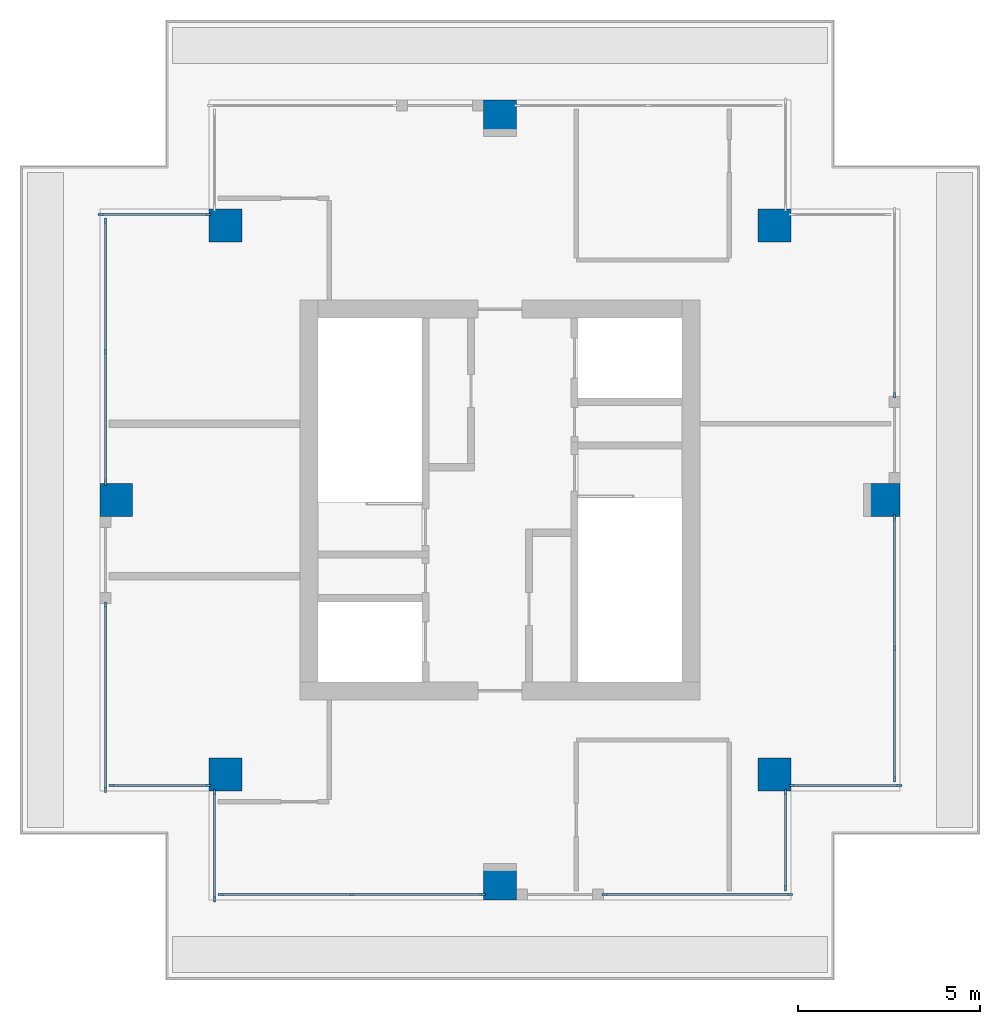
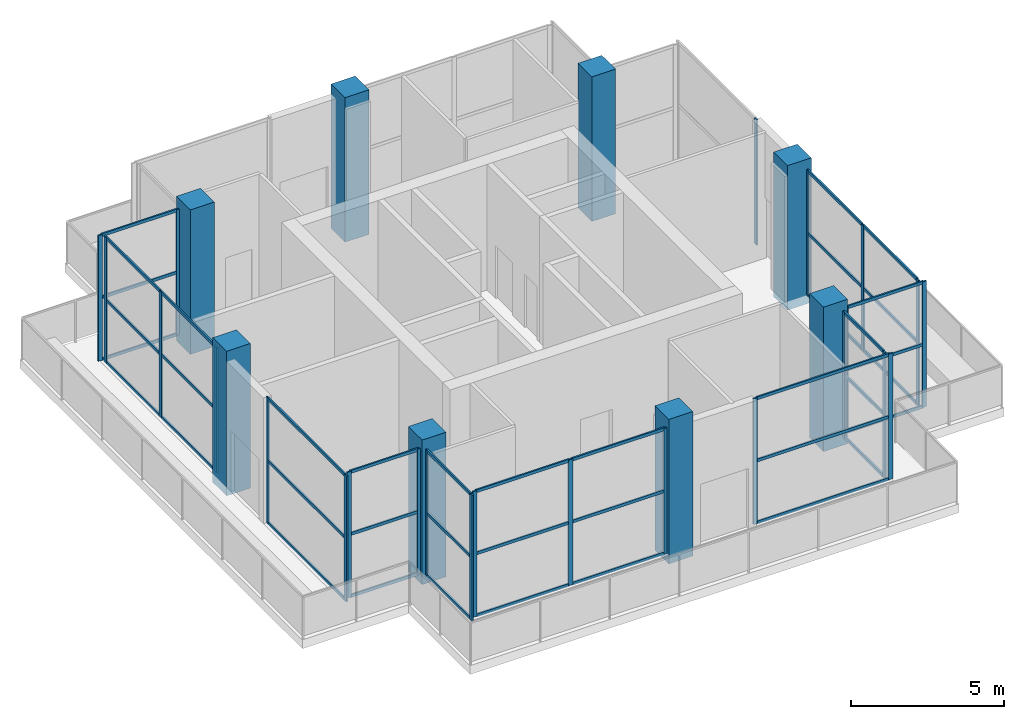
# One storey, part 1 of 5: 63 members, 8 columns, 11 elements without a shape of their own.
"""IFC4 building model written with IfcOpenShell, lengths in metres."""

from ifc_helpers import new_model, si_unit, direction, frame, origin, origin_2d, place, context, subcontext, project, spatial, rectangle, extrude, material, material_profile, profile_set, type_object, element, aggregate, save


model = new_model("IFC4")

# Units and contexts
model_context = context("Model", 3, precision=1e-05, world=origin(), true_north=direction((0.0, 1.0)))
body_context = subcontext(model_context, "Body", "Model", "MODEL_VIEW")
ifc_project = project(units=[si_unit("LENGTHUNIT", "METRE"), si_unit("AREAUNIT", "SQUARE_METRE"), si_unit("VOLUMEUNIT", "CUBIC_METRE"), si_unit("PLANEANGLEUNIT", "RADIAN"), si_unit("MASSUNIT", "GRAM", prefix="KILO")], contexts=[model_context])

# Site, building, storey
site_placement = place(None, origin())
site = spatial("IfcSite", under=ifc_project, at=site_placement, CompositionType="ELEMENT")
building_placement = place(site_placement, origin())
building = spatial("IfcBuilding", under=site, at=building_placement, Name="Khepri Terraces", CompositionType="ELEMENT")
storey_placement = place(building_placement, frame((0.0, 0.0, 316.199951171875)))
storey = spatial("IfcBuildingStorey", under=building, at=storey_placement, Name="L76", CompositionType="ELEMENT", Elevation=316.199951171875)

# Columns
ifc_material_1 = material(Name="Concrete C40/50", Category="concrete")
ifc_material_profile_1 = material_profile(ifc_material_1, rectangle(XDim=0.89990234375, YDim=0.89990234375, at=origin_2d()), Name="Concrete C40/50", Category="concrete")
ifc_profile_set_1 = profile_set([ifc_material_profile_1], Name="Concrete C40/50")
column_type = type_object("IfcColumnType", Name="Crown column RC 900x900 C40/50", PredefinedType="COLUMN", material=ifc_profile_set_1)
for number, where, z_axis, x_axis, name in (
    (1, (10.550048828125, 0.0, -0.349853515625), (0.0, 0.0, 1.0), (1.0, 0.0, 0.0), "Crown column CLNE L76"),
    (2, (7.550048828125, 7.550048828125, -0.349853515625), (0.0, 0.0, 1.0), (1.0, 0.0, 0.0), "Crown column CLNEN L76"),
    (3, (7.550048828125, -7.550048828125, -0.349853515625), (0.0, 0.0, 1.0), (1.0, 0.0, 0.0), "Crown column CLNES L76"),
    (4, (0.0, 10.550048828125, -0.349853515625), (0.0, 0.0, 1.0), (1.0, 0.0, 0.0), "Crown column CLNN L76"),
    (5, (0.0, -10.550048828125, -0.349853515625), (0.0, 0.0, 1.0), (1.0, 0.0, 0.0), "Crown column CLNS L76"),
    (6, (-10.550048828125, 0.0, -0.349853515625), (0.0, 0.0, 1.0), (1.0, 0.0, 0.0), "Crown column CLNW L76"),
    (7, (-7.550048828125, 7.550048828125, -0.349853515625), (0.0, 0.0, 1.0), (1.0, 0.0, 0.0), "Crown column CLNWN L76"),
    (8, (-7.550048828125, -7.550048828125, -0.349853515625), (0.0, 0.0, 1.0), (1.0, 0.0, 0.0), "Crown column CLNWS L76"),
):
    element("IfcColumn", number, at=place(storey_placement, frame(where, z_axis=z_axis, x_axis=x_axis)), inside=storey, type_object=column_type, Name=name, PredefinedType="COLUMN", context=body_context, shape_type="SweptSolid", body=[
        extrude(rectangle(XDim=0.89990234375, YDim=0.89990234375, at=origin_2d()), origin(), (0.0, 0.0, 1.0), 5.75),
    ])

# Curtain wall, members
ifc_material_2 = material(Name="Anodised aluminium bronze curtain wall", Category="aluminium")
curtain_wall_type = type_object("IfcCurtainWallType", Name="CW-SYS4-LANTERN", PredefinedType="NOTDEFINED", material=ifc_material_2)
curtain_wall_1_placement = place(storey_placement, origin())
curtain_wall_1 = element("IfcCurtainWall", 9, at=curtain_wall_1_placement, inside=storey, type_object=curtain_wall_type, Name="Curtain wall CW4 L76 S", PredefinedType="NOTDEFINED")
ifc_material_3 = material(Name="Anodised aluminium bronze", Category="aluminium")
ifc_material_profile_2 = material_profile(ifc_material_3, rectangle(XDim=0.06005859375, YDim=0.159912109375, at=origin_2d()), Name="Anodised aluminium bronze", Category="aluminium")
ifc_profile_set_2 = profile_set([ifc_material_profile_2], Name="Anodised aluminium bronze")
member_type_1 = type_object("IfcMemberType", Name="CW-MULLION-60x160", PredefinedType="MULLION", material=ifc_profile_set_2)
member_1_placement = place(storey_placement, frame((-10.669921875, -7.85009765625, 0.0), z_axis=(0.0, 0.0, 1.0), x_axis=(0.0, 1.0, 0.0)))
member_1 = element("IfcMember", 10, at=member_1_placement, type_object=member_type_1, Name="CW4 mullion 1", PredefinedType="MULLION", context=body_context, shape_type="SweptSolid", body=[
    extrude(rectangle(XDim=0.06005859375, YDim=0.159912109375, at=origin_2d()), origin(), (0.0, 0.0, 1.0), 5.0),
])
member_2_placement = place(storey_placement, frame((-8.030029296875, -7.85009765625, 0.0), z_axis=(0.0, 0.0, 1.0), x_axis=(0.0, 1.0, 0.0)))
member_2 = element("IfcMember", 11, at=member_2_placement, type_object=member_type_1, Name="CW4 mullion 2", PredefinedType="MULLION", context=body_context, shape_type="SweptSolid", body=[
    extrude(rectangle(XDim=0.06005859375, YDim=0.159912109375, at=origin_2d()), origin(), (0.0, 0.0, 1.0), 5.0),
])

curtain_wall_2_placement = place(storey_placement, origin())
curtain_wall_2 = element("IfcCurtainWall", 12, at=curtain_wall_2_placement, inside=storey, type_object=curtain_wall_type, Name="Curtain wall CW4 L76 S", PredefinedType="NOTDEFINED")
member_3_placement = place(storey_placement, frame((-7.669921875, -10.85009765625, 0.0), z_axis=(0.0, 0.0, 1.0), x_axis=(0.0, 1.0, 0.0)))
member_3 = element("IfcMember", 13, at=member_3_placement, type_object=member_type_1, Name="CW4 mullion 1", PredefinedType="MULLION", context=body_context, shape_type="SweptSolid", body=[
    extrude(rectangle(XDim=0.06005859375, YDim=0.159912109375, at=origin_2d()), origin(), (0.0, 0.0, 1.0), 5.0),
])
member_4_placement = place(storey_placement, frame((-4.074951171875, -10.85009765625, 0.0), z_axis=(0.0, 0.0, 1.0), x_axis=(0.0, 1.0, 0.0)))
member_4 = element("IfcMember", 14, at=member_4_placement, type_object=member_type_1, Name="CW4 mullion 2", PredefinedType="MULLION", context=body_context, shape_type="SweptSolid", body=[
    extrude(rectangle(XDim=0.06005859375, YDim=0.159912109375, at=origin_2d()), origin(), (0.0, 0.0, 1.0), 5.0),
])
member_5_placement = place(storey_placement, frame((-0.47998046875, -10.85009765625, 0.0), z_axis=(0.0, 0.0, 1.0), x_axis=(0.0, 1.0, 0.0)))
member_5 = element("IfcMember", 15, at=member_5_placement, type_object=member_type_1, Name="CW4 mullion 3", PredefinedType="MULLION", context=body_context, shape_type="SweptSolid", body=[
    extrude(rectangle(XDim=0.06005859375, YDim=0.159912109375, at=origin_2d()), origin(), (0.0, 0.0, 1.0), 5.0),
])

curtain_wall_3_placement = place(storey_placement, origin())
curtain_wall_3 = element("IfcCurtainWall", 16, at=curtain_wall_3_placement, inside=storey, type_object=curtain_wall_type, Name="Curtain wall CW4 L76 S", PredefinedType="NOTDEFINED")
member_6_placement = place(storey_placement, frame((2.8798828125, -10.85009765625, 0.0), z_axis=(0.0, 0.0, 1.0), x_axis=(0.0, 1.0, 0.0)))
member_6 = element("IfcMember", 17, at=member_6_placement, type_object=member_type_1, Name="CW4 mullion 1", PredefinedType="MULLION", context=body_context, shape_type="SweptSolid", body=[
    extrude(rectangle(XDim=0.06005859375, YDim=0.159912109375, at=origin_2d()), origin(), (0.0, 0.0, 1.0), 5.0),
])
member_7_placement = place(storey_placement, frame((7.969970703125, -10.85009765625, 0.0), z_axis=(0.0, 0.0, 1.0), x_axis=(0.0, 1.0, 0.0)))
member_7 = element("IfcMember", 18, at=member_7_placement, type_object=member_type_1, Name="CW4 mullion 2", PredefinedType="MULLION", context=body_context, shape_type="SweptSolid", body=[
    extrude(rectangle(XDim=0.06005859375, YDim=0.159912109375, at=origin_2d()), origin(), (0.0, 0.0, 1.0), 5.0),
])

curtain_wall_4_placement = place(storey_placement, origin())
curtain_wall_4 = element("IfcCurtainWall", 19, at=curtain_wall_4_placement, inside=storey, type_object=curtain_wall_type, Name="Curtain wall CW4 L76 S", PredefinedType="NOTDEFINED")
member_8_placement = place(storey_placement, frame((8.030029296875, -7.85009765625, 0.0), z_axis=(0.0, 0.0, 1.0), x_axis=(0.0, 1.0, 0.0)))
member_8 = element("IfcMember", 20, at=member_8_placement, type_object=member_type_1, Name="CW4 mullion 1", PredefinedType="MULLION", context=body_context, shape_type="SweptSolid", body=[
    extrude(rectangle(XDim=0.06005859375, YDim=0.159912109375, at=origin_2d()), origin(), (0.0, 0.0, 1.0), 5.0),
])
member_9_placement = place(storey_placement, frame((10.969970703125, -7.85009765625, 0.0), z_axis=(0.0, 0.0, 1.0), x_axis=(0.0, 1.0, 0.0)))
member_9 = element("IfcMember", 21, at=member_9_placement, type_object=member_type_1, Name="CW4 mullion 2", PredefinedType="MULLION", context=body_context, shape_type="SweptSolid", body=[
    extrude(rectangle(XDim=0.06005859375, YDim=0.159912109375, at=origin_2d()), origin(), (0.0, 0.0, 1.0), 5.0),
])

curtain_wall_5_placement = place(storey_placement, origin())
curtain_wall_5 = element("IfcCurtainWall", 22, at=curtain_wall_5_placement, inside=storey, type_object=curtain_wall_type, Name="Curtain wall CW4 L76 E", PredefinedType="NOTDEFINED")
member_10_placement = place(storey_placement, frame((7.85009765625, -10.669921875, 0.0), z_axis=(0.0, 0.0, 1.0), x_axis=(-1.0, 0.0, 0.0)))
member_10 = element("IfcMember", 23, at=member_10_placement, type_object=member_type_1, Name="CW4 mullion 1", PredefinedType="MULLION", context=body_context, shape_type="SweptSolid", body=[
    extrude(rectangle(XDim=0.06005859375, YDim=0.159912109375, at=origin_2d()), origin(), (0.0, 0.0, 1.0), 5.0),
])
member_11_placement = place(storey_placement, frame((7.85009765625, -8.030029296875, 0.0), z_axis=(0.0, 0.0, 1.0), x_axis=(-1.0, 0.0, 0.0)))
member_11 = element("IfcMember", 24, at=member_11_placement, type_object=member_type_1, Name="CW4 mullion 2", PredefinedType="MULLION", context=body_context, shape_type="SweptSolid", body=[
    extrude(rectangle(XDim=0.06005859375, YDim=0.159912109375, at=origin_2d()), origin(), (0.0, 0.0, 1.0), 5.0),
])

curtain_wall_6_placement = place(storey_placement, origin())
curtain_wall_6 = element("IfcCurtainWall", 25, at=curtain_wall_6_placement, inside=storey, type_object=curtain_wall_type, Name="Curtain wall CW4 L76 E", PredefinedType="NOTDEFINED")
member_12_placement = place(storey_placement, frame((10.85009765625, -7.669921875, 0.0), z_axis=(0.0, 0.0, 1.0), x_axis=(-1.0, 0.0, 0.0)))
member_12 = element("IfcMember", 26, at=member_12_placement, type_object=member_type_1, Name="CW4 mullion 1", PredefinedType="MULLION", context=body_context, shape_type="SweptSolid", body=[
    extrude(rectangle(XDim=0.06005859375, YDim=0.159912109375, at=origin_2d()), origin(), (0.0, 0.0, 1.0), 5.0),
])
member_13_placement = place(storey_placement, frame((10.85009765625, -4.074951171875, 0.0), z_axis=(0.0, 0.0, 1.0), x_axis=(-1.0, 0.0, 0.0)))
member_13 = element("IfcMember", 27, at=member_13_placement, type_object=member_type_1, Name="CW4 mullion 2", PredefinedType="MULLION", context=body_context, shape_type="SweptSolid", body=[
    extrude(rectangle(XDim=0.06005859375, YDim=0.159912109375, at=origin_2d()), origin(), (0.0, 0.0, 1.0), 5.0),
])
member_14_placement = place(storey_placement, frame((10.85009765625, -0.47998046875, 0.0), z_axis=(0.0, 0.0, 1.0), x_axis=(-1.0, 0.0, 0.0)))
member_14 = element("IfcMember", 28, at=member_14_placement, type_object=member_type_1, Name="CW4 mullion 3", PredefinedType="MULLION", context=body_context, shape_type="SweptSolid", body=[
    extrude(rectangle(XDim=0.06005859375, YDim=0.159912109375, at=origin_2d()), origin(), (0.0, 0.0, 1.0), 5.0),
])

# Curtain wall, member
curtain_wall_7_placement = place(storey_placement, origin())
curtain_wall_7 = element("IfcCurtainWall", 29, at=curtain_wall_7_placement, inside=storey, type_object=curtain_wall_type, Name="Curtain wall CW4 L76 E", PredefinedType="NOTDEFINED")
member_15_placement = place(storey_placement, frame((10.85009765625, 2.8798828125, 0.0), z_axis=(0.0, 0.0, 1.0), x_axis=(-1.0, 0.0, 0.0)))
member_15 = element("IfcMember", 30, at=member_15_placement, type_object=member_type_1, Name="CW4 mullion 1", PredefinedType="MULLION", context=body_context, shape_type="SweptSolid", body=[
    extrude(rectangle(XDim=0.06005859375, YDim=0.159912109375, at=origin_2d()), origin(), (0.0, 0.0, 1.0), 5.0),
])
aggregate(curtain_wall_7, [member_15])

# Curtain wall, members
curtain_wall_8_placement = place(storey_placement, origin())
curtain_wall_8 = element("IfcCurtainWall", 31, at=curtain_wall_8_placement, inside=storey, type_object=curtain_wall_type, Name="Curtain wall CW4 L76 N", PredefinedType="NOTDEFINED")
member_16_placement = place(storey_placement, frame((-8.030029296875, 7.85009765625, 0.0), z_axis=(0.0, 0.0, 1.0), x_axis=(0.0, -1.0, 0.0)))
member_16 = element("IfcMember", 32, at=member_16_placement, type_object=member_type_1, Name="CW4 mullion 1", PredefinedType="MULLION", context=body_context, shape_type="SweptSolid", body=[
    extrude(rectangle(XDim=0.06005859375, YDim=0.159912109375, at=origin_2d()), origin(), (0.0, 0.0, 1.0), 5.0),
])
member_17_placement = place(storey_placement, frame((-10.969970703125, 7.85009765625, 0.0), z_axis=(0.0, 0.0, 1.0), x_axis=(0.0, -1.0, 0.0)))
member_17 = element("IfcMember", 33, at=member_17_placement, type_object=member_type_1, Name="CW4 mullion 2", PredefinedType="MULLION", context=body_context, shape_type="SweptSolid", body=[
    extrude(rectangle(XDim=0.06005859375, YDim=0.159912109375, at=origin_2d()), origin(), (0.0, 0.0, 1.0), 5.0),
])

curtain_wall_9_placement = place(storey_placement, origin())
curtain_wall_9 = element("IfcCurtainWall", 34, at=curtain_wall_9_placement, inside=storey, type_object=curtain_wall_type, Name="Curtain wall CW4 L76 W", PredefinedType="NOTDEFINED")
member_18_placement = place(storey_placement, frame((-10.85009765625, 7.669921875, 0.0), z_axis=(0.0, 0.0, 1.0), x_axis=(1.0, 0.0, 0.0)))
member_18 = element("IfcMember", 35, at=member_18_placement, type_object=member_type_1, Name="CW4 mullion 1", PredefinedType="MULLION", context=body_context, shape_type="SweptSolid", body=[
    extrude(rectangle(XDim=0.06005859375, YDim=0.159912109375, at=origin_2d()), origin(), (0.0, 0.0, 1.0), 5.0),
])
member_19_placement = place(storey_placement, frame((-10.85009765625, 4.074951171875, 0.0), z_axis=(0.0, 0.0, 1.0), x_axis=(1.0, 0.0, 0.0)))
member_19 = element("IfcMember", 36, at=member_19_placement, type_object=member_type_1, Name="CW4 mullion 2", PredefinedType="MULLION", context=body_context, shape_type="SweptSolid", body=[
    extrude(rectangle(XDim=0.06005859375, YDim=0.159912109375, at=origin_2d()), origin(), (0.0, 0.0, 1.0), 5.0),
])
member_20_placement = place(storey_placement, frame((-10.85009765625, 0.47998046875, 0.0), z_axis=(0.0, 0.0, 1.0), x_axis=(1.0, 0.0, 0.0)))
member_20 = element("IfcMember", 37, at=member_20_placement, type_object=member_type_1, Name="CW4 mullion 3", PredefinedType="MULLION", context=body_context, shape_type="SweptSolid", body=[
    extrude(rectangle(XDim=0.06005859375, YDim=0.159912109375, at=origin_2d()), origin(), (0.0, 0.0, 1.0), 5.0),
])

curtain_wall_10_placement = place(storey_placement, origin())
curtain_wall_10 = element("IfcCurtainWall", 38, at=curtain_wall_10_placement, inside=storey, type_object=curtain_wall_type, Name="Curtain wall CW4 L76 W", PredefinedType="NOTDEFINED")
member_21_placement = place(storey_placement, frame((-10.85009765625, -2.8798828125, 0.0), z_axis=(0.0, 0.0, 1.0), x_axis=(1.0, 0.0, 0.0)))
member_21 = element("IfcMember", 39, at=member_21_placement, type_object=member_type_1, Name="CW4 mullion 1", PredefinedType="MULLION", context=body_context, shape_type="SweptSolid", body=[
    extrude(rectangle(XDim=0.06005859375, YDim=0.159912109375, at=origin_2d()), origin(), (0.0, 0.0, 1.0), 5.0),
])
member_22_placement = place(storey_placement, frame((-10.85009765625, -7.969970703125, 0.0), z_axis=(0.0, 0.0, 1.0), x_axis=(1.0, 0.0, 0.0)))
member_22 = element("IfcMember", 40, at=member_22_placement, type_object=member_type_1, Name="CW4 mullion 2", PredefinedType="MULLION", context=body_context, shape_type="SweptSolid", body=[
    extrude(rectangle(XDim=0.06005859375, YDim=0.159912109375, at=origin_2d()), origin(), (0.0, 0.0, 1.0), 5.0),
])

curtain_wall_11_placement = place(storey_placement, origin())
curtain_wall_11 = element("IfcCurtainWall", 41, at=curtain_wall_11_placement, inside=storey, type_object=curtain_wall_type, Name="Curtain wall CW4 L76 W", PredefinedType="NOTDEFINED")
member_23_placement = place(storey_placement, frame((-7.85009765625, -8.030029296875, 0.0), z_axis=(0.0, 0.0, 1.0), x_axis=(1.0, 0.0, 0.0)))
member_23 = element("IfcMember", 42, at=member_23_placement, type_object=member_type_1, Name="CW4 mullion 1", PredefinedType="MULLION", context=body_context, shape_type="SweptSolid", body=[
    extrude(rectangle(XDim=0.06005859375, YDim=0.159912109375, at=origin_2d()), origin(), (0.0, 0.0, 1.0), 5.0),
])
member_24_placement = place(storey_placement, frame((-7.85009765625, -10.969970703125, 0.0), z_axis=(0.0, 0.0, 1.0), x_axis=(1.0, 0.0, 0.0)))
member_24 = element("IfcMember", 43, at=member_24_placement, type_object=member_type_1, Name="CW4 mullion 2", PredefinedType="MULLION", context=body_context, shape_type="SweptSolid", body=[
    extrude(rectangle(XDim=0.06005859375, YDim=0.159912109375, at=origin_2d()), origin(), (0.0, 0.0, 1.0), 5.0),
])

# Member
ifc_material_profile_3 = material_profile(ifc_material_3, rectangle(XDim=0.06005859375, YDim=0.1201171875, at=origin_2d()), Name="Anodised aluminium bronze", Category="aluminium")
ifc_profile_set_3 = profile_set([ifc_material_profile_3], Name="Anodised aluminium bronze")
member_type_2 = type_object("IfcMemberType", Name="CW-TRANSOM-60x120", PredefinedType="USERDEFINED", material=ifc_profile_set_3)
member_25_placement = place(storey_placement, frame((-10.639892578125, -7.85009765625, 0.030029296875), z_axis=(1.0, 0.0, 0.0), x_axis=(0.0, 1.0, 0.0)))
member_25 = element("IfcMember", 44, at=member_25_placement, type_object=member_type_2, Name="CW4 transom 1.1", ObjectType="TRANSOM", PredefinedType="USERDEFINED", context=body_context, shape_type="SweptSolid", body=[
    extrude(rectangle(XDim=0.06005859375, YDim=0.1201171875, at=origin_2d()), origin(), (0.0, 0.0, 1.0), 2.579833984375),
])

member_26_placement = place(storey_placement, frame((-10.639892578125, -7.85009765625, 2.5), z_axis=(1.0, 0.0, 0.0), x_axis=(0.0, 1.0, 0.0)))
member_26 = element("IfcMember", 45, at=member_26_placement, type_object=member_type_2, Name="CW4 transom 1.2", ObjectType="TRANSOM", PredefinedType="USERDEFINED", context=body_context, shape_type="SweptSolid", body=[
    extrude(rectangle(XDim=0.06005859375, YDim=0.1201171875, at=origin_2d()), origin(), (0.0, 0.0, 1.0), 2.579833984375),
])

member_27_placement = place(storey_placement, frame((-10.639892578125, -7.85009765625, 4.969970703125), z_axis=(1.0, 0.0, 0.0), x_axis=(0.0, 1.0, 0.0)))
member_27 = element("IfcMember", 46, at=member_27_placement, type_object=member_type_2, Name="CW4 transom 1.3", ObjectType="TRANSOM", PredefinedType="USERDEFINED", context=body_context, shape_type="SweptSolid", body=[
    extrude(rectangle(XDim=0.06005859375, YDim=0.1201171875, at=origin_2d()), origin(), (0.0, 0.0, 1.0), 2.579833984375),
])

aggregate(curtain_wall_1, [member_1, member_2, member_25, member_26, member_27])

member_28_placement = place(storey_placement, frame((-7.639892578125, -10.85009765625, 0.030029296875), z_axis=(1.0, 0.0, 0.0), x_axis=(0.0, 1.0, 0.0)))
member_28 = element("IfcMember", 47, at=member_28_placement, type_object=member_type_2, Name="CW4 transom 1.1", ObjectType="TRANSOM", PredefinedType="USERDEFINED", context=body_context, shape_type="SweptSolid", body=[
    extrude(rectangle(XDim=0.06005859375, YDim=0.1201171875, at=origin_2d()), origin(), (0.0, 0.0, 1.0), 3.534912109375),
])

member_29_placement = place(storey_placement, frame((-7.639892578125, -10.85009765625, 2.5), z_axis=(1.0, 0.0, 0.0), x_axis=(0.0, 1.0, 0.0)))
member_29 = element("IfcMember", 48, at=member_29_placement, type_object=member_type_2, Name="CW4 transom 1.2", ObjectType="TRANSOM", PredefinedType="USERDEFINED", context=body_context, shape_type="SweptSolid", body=[
    extrude(rectangle(XDim=0.06005859375, YDim=0.1201171875, at=origin_2d()), origin(), (0.0, 0.0, 1.0), 3.534912109375),
])

member_30_placement = place(storey_placement, frame((-7.639892578125, -10.85009765625, 4.969970703125), z_axis=(1.0, 0.0, 0.0), x_axis=(0.0, 1.0, 0.0)))
member_30 = element("IfcMember", 49, at=member_30_placement, type_object=member_type_2, Name="CW4 transom 1.3", ObjectType="TRANSOM", PredefinedType="USERDEFINED", context=body_context, shape_type="SweptSolid", body=[
    extrude(rectangle(XDim=0.06005859375, YDim=0.1201171875, at=origin_2d()), origin(), (0.0, 0.0, 1.0), 3.534912109375),
])

member_31_placement = place(storey_placement, frame((-4.044921875, -10.85009765625, 0.030029296875), z_axis=(1.0, 0.0, 0.0), x_axis=(0.0, 1.0, 0.0)))
member_31 = element("IfcMember", 50, at=member_31_placement, type_object=member_type_2, Name="CW4 transom 2.1", ObjectType="TRANSOM", PredefinedType="USERDEFINED", context=body_context, shape_type="SweptSolid", body=[
    extrude(rectangle(XDim=0.06005859375, YDim=0.1201171875, at=origin_2d()), origin(), (0.0, 0.0, 1.0), 3.534912109375),
])

member_32_placement = place(storey_placement, frame((-4.044921875, -10.85009765625, 2.5), z_axis=(1.0, 0.0, 0.0), x_axis=(0.0, 1.0, 0.0)))
member_32 = element("IfcMember", 51, at=member_32_placement, type_object=member_type_2, Name="CW4 transom 2.2", ObjectType="TRANSOM", PredefinedType="USERDEFINED", context=body_context, shape_type="SweptSolid", body=[
    extrude(rectangle(XDim=0.06005859375, YDim=0.1201171875, at=origin_2d()), origin(), (0.0, 0.0, 1.0), 3.534912109375),
])

member_33_placement = place(storey_placement, frame((-4.044921875, -10.85009765625, 4.969970703125), z_axis=(1.0, 0.0, 0.0), x_axis=(0.0, 1.0, 0.0)))
member_33 = element("IfcMember", 52, at=member_33_placement, type_object=member_type_2, Name="CW4 transom 2.3", ObjectType="TRANSOM", PredefinedType="USERDEFINED", context=body_context, shape_type="SweptSolid", body=[
    extrude(rectangle(XDim=0.06005859375, YDim=0.1201171875, at=origin_2d()), origin(), (0.0, 0.0, 1.0), 3.534912109375),
])

aggregate(curtain_wall_2, [member_3, member_4, member_5, member_28, member_29, member_30, member_31, member_32, member_33])

member_34_placement = place(storey_placement, frame((2.909912109375, -10.85009765625, 0.030029296875), z_axis=(1.0, 0.0, 0.0), x_axis=(0.0, 1.0, 0.0)))
member_34 = element("IfcMember", 53, at=member_34_placement, type_object=member_type_2, Name="CW4 transom 1.1", ObjectType="TRANSOM", PredefinedType="USERDEFINED", context=body_context, shape_type="SweptSolid", body=[
    extrude(rectangle(XDim=0.06005859375, YDim=0.1201171875, at=origin_2d()), origin(), (0.0, 0.0, 1.0), 5.030029296875),
])

member_35_placement = place(storey_placement, frame((2.909912109375, -10.85009765625, 2.5), z_axis=(1.0, 0.0, 0.0), x_axis=(0.0, 1.0, 0.0)))
member_35 = element("IfcMember", 54, at=member_35_placement, type_object=member_type_2, Name="CW4 transom 1.2", ObjectType="TRANSOM", PredefinedType="USERDEFINED", context=body_context, shape_type="SweptSolid", body=[
    extrude(rectangle(XDim=0.06005859375, YDim=0.1201171875, at=origin_2d()), origin(), (0.0, 0.0, 1.0), 5.030029296875),
])

member_36_placement = place(storey_placement, frame((2.909912109375, -10.85009765625, 4.969970703125), z_axis=(1.0, 0.0, 0.0), x_axis=(0.0, 1.0, 0.0)))
member_36 = element("IfcMember", 55, at=member_36_placement, type_object=member_type_2, Name="CW4 transom 1.3", ObjectType="TRANSOM", PredefinedType="USERDEFINED", context=body_context, shape_type="SweptSolid", body=[
    extrude(rectangle(XDim=0.06005859375, YDim=0.1201171875, at=origin_2d()), origin(), (0.0, 0.0, 1.0), 5.030029296875),
])

aggregate(curtain_wall_3, [member_6, member_7, member_34, member_35, member_36])

member_37_placement = place(storey_placement, frame((8.06005859375, -7.85009765625, 0.030029296875), z_axis=(1.0, 0.0, 0.0), x_axis=(0.0, 1.0, 0.0)))
member_37 = element("IfcMember", 56, at=member_37_placement, type_object=member_type_2, Name="CW4 transom 1.1", ObjectType="TRANSOM", PredefinedType="USERDEFINED", context=body_context, shape_type="SweptSolid", body=[
    extrude(rectangle(XDim=0.06005859375, YDim=0.1201171875, at=origin_2d()), origin(), (0.0, 0.0, 1.0), 2.8798828125),
])

member_38_placement = place(storey_placement, frame((8.06005859375, -7.85009765625, 2.5), z_axis=(1.0, 0.0, 0.0), x_axis=(0.0, 1.0, 0.0)))
member_38 = element("IfcMember", 57, at=member_38_placement, type_object=member_type_2, Name="CW4 transom 1.2", ObjectType="TRANSOM", PredefinedType="USERDEFINED", context=body_context, shape_type="SweptSolid", body=[
    extrude(rectangle(XDim=0.06005859375, YDim=0.1201171875, at=origin_2d()), origin(), (0.0, 0.0, 1.0), 2.8798828125),
])

member_39_placement = place(storey_placement, frame((8.06005859375, -7.85009765625, 4.969970703125), z_axis=(1.0, 0.0, 0.0), x_axis=(0.0, 1.0, 0.0)))
member_39 = element("IfcMember", 58, at=member_39_placement, type_object=member_type_2, Name="CW4 transom 1.3", ObjectType="TRANSOM", PredefinedType="USERDEFINED", context=body_context, shape_type="SweptSolid", body=[
    extrude(rectangle(XDim=0.06005859375, YDim=0.1201171875, at=origin_2d()), origin(), (0.0, 0.0, 1.0), 2.8798828125),
])

aggregate(curtain_wall_4, [member_8, member_9, member_37, member_38, member_39])

member_40_placement = place(storey_placement, frame((7.85009765625, -10.639892578125, 0.030029296875), z_axis=(0.0, 1.0, 0.0), x_axis=(-1.0, 0.0, 0.0)))
member_40 = element("IfcMember", 59, at=member_40_placement, type_object=member_type_2, Name="CW4 transom 1.1", ObjectType="TRANSOM", PredefinedType="USERDEFINED", context=body_context, shape_type="SweptSolid", body=[
    extrude(rectangle(XDim=0.06005859375, YDim=0.1201171875, at=origin_2d()), origin(), (0.0, 0.0, 1.0), 2.579833984375),
])

member_41_placement = place(storey_placement, frame((7.85009765625, -10.639892578125, 2.5), z_axis=(0.0, 1.0, 0.0), x_axis=(-1.0, 0.0, 0.0)))
member_41 = element("IfcMember", 60, at=member_41_placement, type_object=member_type_2, Name="CW4 transom 1.2", ObjectType="TRANSOM", PredefinedType="USERDEFINED", context=body_context, shape_type="SweptSolid", body=[
    extrude(rectangle(XDim=0.06005859375, YDim=0.1201171875, at=origin_2d()), origin(), (0.0, 0.0, 1.0), 2.579833984375),
])

member_42_placement = place(storey_placement, frame((7.85009765625, -10.639892578125, 4.969970703125), z_axis=(0.0, 1.0, 0.0), x_axis=(-1.0, 0.0, 0.0)))
member_42 = element("IfcMember", 61, at=member_42_placement, type_object=member_type_2, Name="CW4 transom 1.3", ObjectType="TRANSOM", PredefinedType="USERDEFINED", context=body_context, shape_type="SweptSolid", body=[
    extrude(rectangle(XDim=0.06005859375, YDim=0.1201171875, at=origin_2d()), origin(), (0.0, 0.0, 1.0), 2.579833984375),
])

aggregate(curtain_wall_5, [member_10, member_11, member_40, member_41, member_42])

member_43_placement = place(storey_placement, frame((10.85009765625, -7.639892578125, 0.030029296875), z_axis=(0.0, 1.0, 0.0), x_axis=(-1.0, 0.0, 0.0)))
member_43 = element("IfcMember", 62, at=member_43_placement, type_object=member_type_2, Name="CW4 transom 1.1", ObjectType="TRANSOM", PredefinedType="USERDEFINED", context=body_context, shape_type="SweptSolid", body=[
    extrude(rectangle(XDim=0.06005859375, YDim=0.1201171875, at=origin_2d()), origin(), (0.0, 0.0, 1.0), 3.534912109375),
])

member_44_placement = place(storey_placement, frame((10.85009765625, -7.639892578125, 2.5), z_axis=(0.0, 1.0, 0.0), x_axis=(-1.0, 0.0, 0.0)))
member_44 = element("IfcMember", 63, at=member_44_placement, type_object=member_type_2, Name="CW4 transom 1.2", ObjectType="TRANSOM", PredefinedType="USERDEFINED", context=body_context, shape_type="SweptSolid", body=[
    extrude(rectangle(XDim=0.06005859375, YDim=0.1201171875, at=origin_2d()), origin(), (0.0, 0.0, 1.0), 3.534912109375),
])

member_45_placement = place(storey_placement, frame((10.85009765625, -7.639892578125, 4.969970703125), z_axis=(0.0, 1.0, 0.0), x_axis=(-1.0, 0.0, 0.0)))
member_45 = element("IfcMember", 64, at=member_45_placement, type_object=member_type_2, Name="CW4 transom 1.3", ObjectType="TRANSOM", PredefinedType="USERDEFINED", context=body_context, shape_type="SweptSolid", body=[
    extrude(rectangle(XDim=0.06005859375, YDim=0.1201171875, at=origin_2d()), origin(), (0.0, 0.0, 1.0), 3.534912109375),
])

member_46_placement = place(storey_placement, frame((10.85009765625, -4.044921875, 0.030029296875), z_axis=(0.0, 1.0, 0.0), x_axis=(-1.0, 0.0, 0.0)))
member_46 = element("IfcMember", 65, at=member_46_placement, type_object=member_type_2, Name="CW4 transom 2.1", ObjectType="TRANSOM", PredefinedType="USERDEFINED", context=body_context, shape_type="SweptSolid", body=[
    extrude(rectangle(XDim=0.06005859375, YDim=0.1201171875, at=origin_2d()), origin(), (0.0, 0.0, 1.0), 3.534912109375),
])

member_47_placement = place(storey_placement, frame((10.85009765625, -4.044921875, 2.5), z_axis=(0.0, 1.0, 0.0), x_axis=(-1.0, 0.0, 0.0)))
member_47 = element("IfcMember", 66, at=member_47_placement, type_object=member_type_2, Name="CW4 transom 2.2", ObjectType="TRANSOM", PredefinedType="USERDEFINED", context=body_context, shape_type="SweptSolid", body=[
    extrude(rectangle(XDim=0.06005859375, YDim=0.1201171875, at=origin_2d()), origin(), (0.0, 0.0, 1.0), 3.534912109375),
])

member_48_placement = place(storey_placement, frame((10.85009765625, -4.044921875, 4.969970703125), z_axis=(0.0, 1.0, 0.0), x_axis=(-1.0, 0.0, 0.0)))
member_48 = element("IfcMember", 67, at=member_48_placement, type_object=member_type_2, Name="CW4 transom 2.3", ObjectType="TRANSOM", PredefinedType="USERDEFINED", context=body_context, shape_type="SweptSolid", body=[
    extrude(rectangle(XDim=0.06005859375, YDim=0.1201171875, at=origin_2d()), origin(), (0.0, 0.0, 1.0), 3.534912109375),
])

aggregate(curtain_wall_6, [member_12, member_13, member_14, member_43, member_44, member_45, member_46, member_47, member_48])

member_49_placement = place(storey_placement, frame((-8.06005859375, 7.85009765625, 0.030029296875), z_axis=(-1.0, 0.0, 0.0), x_axis=(0.0, -1.0, 0.0)))
member_49 = element("IfcMember", 68, at=member_49_placement, type_object=member_type_2, Name="CW4 transom 1.1", ObjectType="TRANSOM", PredefinedType="USERDEFINED", context=body_context, shape_type="SweptSolid", body=[
    extrude(rectangle(XDim=0.06005859375, YDim=0.1201171875, at=origin_2d()), origin(), (0.0, 0.0, 1.0), 2.8798828125),
])

member_50_placement = place(storey_placement, frame((-8.06005859375, 7.85009765625, 2.5), z_axis=(-1.0, 0.0, 0.0), x_axis=(0.0, -1.0, 0.0)))
member_50 = element("IfcMember", 69, at=member_50_placement, type_object=member_type_2, Name="CW4 transom 1.2", ObjectType="TRANSOM", PredefinedType="USERDEFINED", context=body_context, shape_type="SweptSolid", body=[
    extrude(rectangle(XDim=0.06005859375, YDim=0.1201171875, at=origin_2d()), origin(), (0.0, 0.0, 1.0), 2.8798828125),
])

member_51_placement = place(storey_placement, frame((-8.06005859375, 7.85009765625, 4.969970703125), z_axis=(-1.0, 0.0, 0.0), x_axis=(0.0, -1.0, 0.0)))
member_51 = element("IfcMember", 70, at=member_51_placement, type_object=member_type_2, Name="CW4 transom 1.3", ObjectType="TRANSOM", PredefinedType="USERDEFINED", context=body_context, shape_type="SweptSolid", body=[
    extrude(rectangle(XDim=0.06005859375, YDim=0.1201171875, at=origin_2d()), origin(), (0.0, 0.0, 1.0), 2.8798828125),
])

aggregate(curtain_wall_8, [member_16, member_17, member_49, member_50, member_51])

member_52_placement = place(storey_placement, frame((-10.85009765625, 7.639892578125, 0.030029296875), z_axis=(0.0, -1.0, 0.0), x_axis=(1.0, 0.0, 0.0)))
member_52 = element("IfcMember", 71, at=member_52_placement, type_object=member_type_2, Name="CW4 transom 1.1", ObjectType="TRANSOM", PredefinedType="USERDEFINED", context=body_context, shape_type="SweptSolid", body=[
    extrude(rectangle(XDim=0.06005859375, YDim=0.1201171875, at=origin_2d()), origin(), (0.0, 0.0, 1.0), 3.534912109375),
])

member_53_placement = place(storey_placement, frame((-10.85009765625, 7.639892578125, 2.5), z_axis=(0.0, -1.0, 0.0), x_axis=(1.0, 0.0, 0.0)))
member_53 = element("IfcMember", 72, at=member_53_placement, type_object=member_type_2, Name="CW4 transom 1.2", ObjectType="TRANSOM", PredefinedType="USERDEFINED", context=body_context, shape_type="SweptSolid", body=[
    extrude(rectangle(XDim=0.06005859375, YDim=0.1201171875, at=origin_2d()), origin(), (0.0, 0.0, 1.0), 3.534912109375),
])

member_54_placement = place(storey_placement, frame((-10.85009765625, 7.639892578125, 4.969970703125), z_axis=(0.0, -1.0, 0.0), x_axis=(1.0, 0.0, 0.0)))
member_54 = element("IfcMember", 73, at=member_54_placement, type_object=member_type_2, Name="CW4 transom 1.3", ObjectType="TRANSOM", PredefinedType="USERDEFINED", context=body_context, shape_type="SweptSolid", body=[
    extrude(rectangle(XDim=0.06005859375, YDim=0.1201171875, at=origin_2d()), origin(), (0.0, 0.0, 1.0), 3.534912109375),
])

member_55_placement = place(storey_placement, frame((-10.85009765625, 4.044921875, 0.030029296875), z_axis=(0.0, -1.0, 0.0), x_axis=(1.0, 0.0, 0.0)))
member_55 = element("IfcMember", 74, at=member_55_placement, type_object=member_type_2, Name="CW4 transom 2.1", ObjectType="TRANSOM", PredefinedType="USERDEFINED", context=body_context, shape_type="SweptSolid", body=[
    extrude(rectangle(XDim=0.06005859375, YDim=0.1201171875, at=origin_2d()), origin(), (0.0, 0.0, 1.0), 3.534912109375),
])

member_56_placement = place(storey_placement, frame((-10.85009765625, 4.044921875, 2.5), z_axis=(0.0, -1.0, 0.0), x_axis=(1.0, 0.0, 0.0)))
member_56 = element("IfcMember", 75, at=member_56_placement, type_object=member_type_2, Name="CW4 transom 2.2", ObjectType="TRANSOM", PredefinedType="USERDEFINED", context=body_context, shape_type="SweptSolid", body=[
    extrude(rectangle(XDim=0.06005859375, YDim=0.1201171875, at=origin_2d()), origin(), (0.0, 0.0, 1.0), 3.534912109375),
])

member_57_placement = place(storey_placement, frame((-10.85009765625, 4.044921875, 4.969970703125), z_axis=(0.0, -1.0, 0.0), x_axis=(1.0, 0.0, 0.0)))
member_57 = element("IfcMember", 76, at=member_57_placement, type_object=member_type_2, Name="CW4 transom 2.3", ObjectType="TRANSOM", PredefinedType="USERDEFINED", context=body_context, shape_type="SweptSolid", body=[
    extrude(rectangle(XDim=0.06005859375, YDim=0.1201171875, at=origin_2d()), origin(), (0.0, 0.0, 1.0), 3.534912109375),
])

aggregate(curtain_wall_9, [member_18, member_19, member_20, member_52, member_53, member_54, member_55, member_56, member_57])

member_58_placement = place(storey_placement, frame((-10.85009765625, -2.909912109375, 0.030029296875), z_axis=(0.0, -1.0, 0.0), x_axis=(1.0, 0.0, 0.0)))
member_58 = element("IfcMember", 77, at=member_58_placement, type_object=member_type_2, Name="CW4 transom 1.1", ObjectType="TRANSOM", PredefinedType="USERDEFINED", context=body_context, shape_type="SweptSolid", body=[
    extrude(rectangle(XDim=0.06005859375, YDim=0.1201171875, at=origin_2d()), origin(), (0.0, 0.0, 1.0), 5.030029296875),
])

member_59_placement = place(storey_placement, frame((-10.85009765625, -2.909912109375, 2.5), z_axis=(0.0, -1.0, 0.0), x_axis=(1.0, 0.0, 0.0)))
member_59 = element("IfcMember", 78, at=member_59_placement, type_object=member_type_2, Name="CW4 transom 1.2", ObjectType="TRANSOM", PredefinedType="USERDEFINED", context=body_context, shape_type="SweptSolid", body=[
    extrude(rectangle(XDim=0.06005859375, YDim=0.1201171875, at=origin_2d()), origin(), (0.0, 0.0, 1.0), 5.030029296875),
])

member_60_placement = place(storey_placement, frame((-10.85009765625, -2.909912109375, 4.969970703125), z_axis=(0.0, -1.0, 0.0), x_axis=(1.0, 0.0, 0.0)))
member_60 = element("IfcMember", 79, at=member_60_placement, type_object=member_type_2, Name="CW4 transom 1.3", ObjectType="TRANSOM", PredefinedType="USERDEFINED", context=body_context, shape_type="SweptSolid", body=[
    extrude(rectangle(XDim=0.06005859375, YDim=0.1201171875, at=origin_2d()), origin(), (0.0, 0.0, 1.0), 5.030029296875),
])

aggregate(curtain_wall_10, [member_21, member_22, member_58, member_59, member_60])

member_61_placement = place(storey_placement, frame((-7.85009765625, -8.06005859375, 0.030029296875), z_axis=(0.0, -1.0, 0.0), x_axis=(1.0, 0.0, 0.0)))
member_61 = element("IfcMember", 80, at=member_61_placement, type_object=member_type_2, Name="CW4 transom 1.1", ObjectType="TRANSOM", PredefinedType="USERDEFINED", context=body_context, shape_type="SweptSolid", body=[
    extrude(rectangle(XDim=0.06005859375, YDim=0.1201171875, at=origin_2d()), origin(), (0.0, 0.0, 1.0), 2.8798828125),
])

member_62_placement = place(storey_placement, frame((-7.85009765625, -8.06005859375, 2.5), z_axis=(0.0, -1.0, 0.0), x_axis=(1.0, 0.0, 0.0)))
member_62 = element("IfcMember", 81, at=member_62_placement, type_object=member_type_2, Name="CW4 transom 1.2", ObjectType="TRANSOM", PredefinedType="USERDEFINED", context=body_context, shape_type="SweptSolid", body=[
    extrude(rectangle(XDim=0.06005859375, YDim=0.1201171875, at=origin_2d()), origin(), (0.0, 0.0, 1.0), 2.8798828125),
])

member_63_placement = place(storey_placement, frame((-7.85009765625, -8.06005859375, 4.969970703125), z_axis=(0.0, -1.0, 0.0), x_axis=(1.0, 0.0, 0.0)))
member_63 = element("IfcMember", 82, at=member_63_placement, type_object=member_type_2, Name="CW4 transom 1.3", ObjectType="TRANSOM", PredefinedType="USERDEFINED", context=body_context, shape_type="SweptSolid", body=[
    extrude(rectangle(XDim=0.06005859375, YDim=0.1201171875, at=origin_2d()), origin(), (0.0, 0.0, 1.0), 2.8798828125),
])

aggregate(curtain_wall_11, [member_23, member_24, member_61, member_62, member_63])

save(model, "model.ifc")
